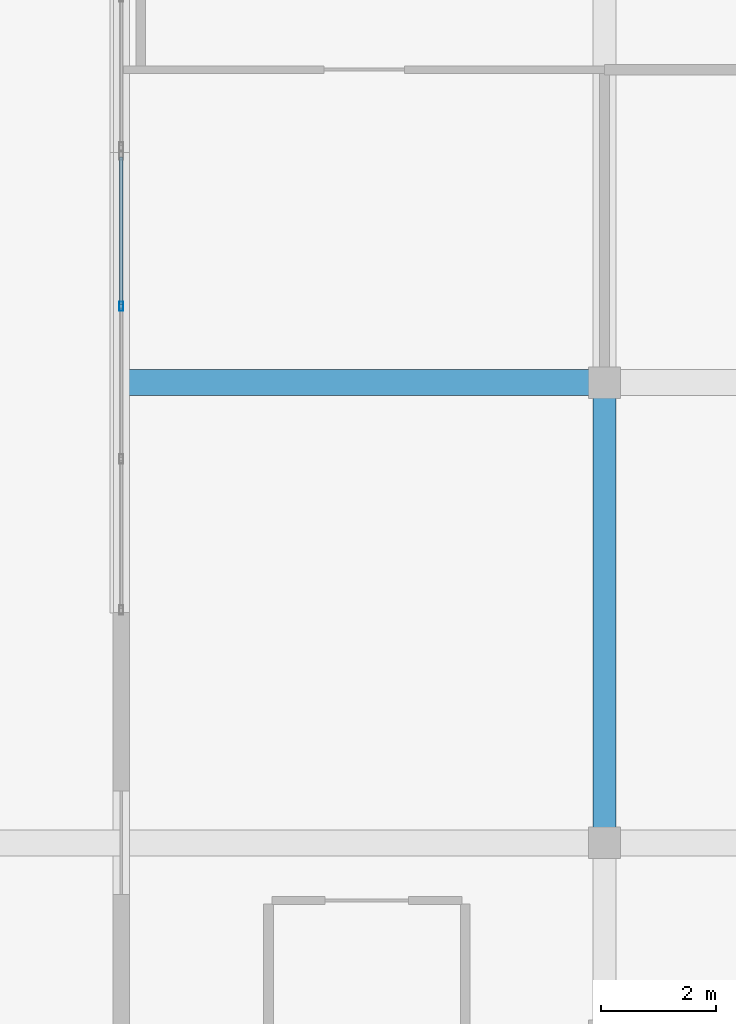
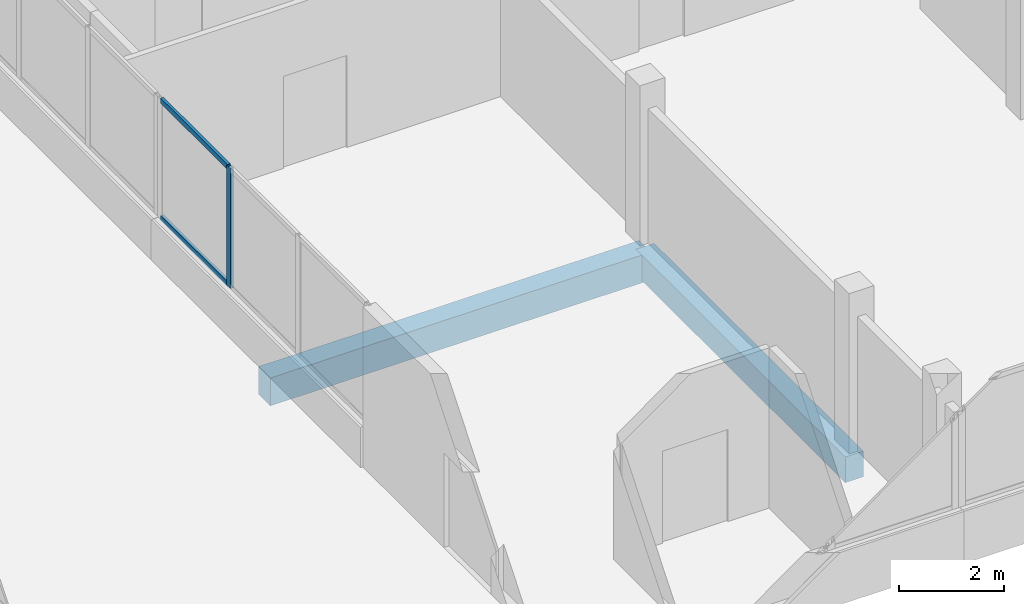
# One storey, part 8 of 67: 3 members, 2 beams, 1 element without a shape of its own.
"""IFC4 building model written with IfcOpenShell, lengths in metres."""

import ifcopenshell
import ifcopenshell.guid

model = None  # the IFC model being written
_history = None  # IfcOwnerHistory: only IFC2X3 demands one
_inside = {}  # id of a spatial element -> (the spatial element, [elements in it])
_under = {}  # id of a project, library or spatial element -> (it, [spatial elements below it])
_declared = {}  # id of a project -> (the project, [libraries it declares])
_typed = {}  # id of a type object -> (the type object, [elements of that type])
_made_of = {}  # id of a material, layer set ... -> (it, [elements and type objects made of it])


def new_model(schema):
    """Start an empty IFC model of exactly this schema.

    Asked for "IFC4X3", IfcOpenShell would pick the latest addendum, in which some entities
    have other attributes; the version numbers below select the first issue.
    IFC2X3 requires an IfcOwnerHistory on every rooted entity: one is made here for all.
    """
    global model, _history
    if schema == "IFC4X3":
        model = ifcopenshell.file(schema_version=(4, 3, 0, 0))
    else:
        model = ifcopenshell.file(schema=schema)
    _inside.clear()
    _under.clear()
    _declared.clear()
    _typed.clear()
    _made_of.clear()
    _history = None
    if model.schema == "IFC2X3":
        org = make("IfcOrganization", Name="unknown")
        user = make(
            "IfcPersonAndOrganization",
            ThePerson=make("IfcPerson", FamilyName="unknown"),
            TheOrganization=org,
        )
        app = make(
            "IfcApplication",
            ApplicationDeveloper=org,
            Version="unknown",
            ApplicationFullName="unknown",
            ApplicationIdentifier="unknown",
        )
        _history = make(
            "IfcOwnerHistory",
            OwningUser=user,
            OwningApplication=app,
            ChangeAction="ADDED",
            CreationDate=0,
        )
    return model


def make(cls, **values):
    """One entity of the class cls with the attributes given. An attribute that is None is left unset."""
    return model.create_entity(
        cls, **{name: value for name, value in values.items() if value is not None}
    )


def rooted(cls, **values):
    """An entity with a GlobalId (a new one), such as an element, a storey or a relation."""
    return make(cls, GlobalId=ifcopenshell.guid.new(), OwnerHistory=_history, **values)


def si_unit(unit_type, name, prefix=None):
    """IfcSIUnit, for example si_unit("LENGTHUNIT", "METRE", prefix="MILLI")."""
    return make("IfcSIUnit", UnitType=unit_type, Prefix=prefix, Name=name)


def assignment(units):
    """IfcUnitAssignment: the units of a project."""
    return None if units is None else make("IfcUnitAssignment", Units=units)


def point(xyz):
    """IfcCartesianPoint."""
    return None if xyz is None else make("IfcCartesianPoint", Coordinates=xyz)


def direction(xyz):
    """IfcDirection."""
    return None if xyz is None else make("IfcDirection", DirectionRatios=xyz)


def frame(location, z_axis=None, x_axis=None):
    """IfcAxis2Placement3D, a coordinate frame: its origin and axes. An axis left out is left unset."""
    return make(
        "IfcAxis2Placement3D",
        Location=point(location),
        Axis=direction(z_axis),
        RefDirection=direction(x_axis),
    )


def frame_2d(location, x_axis=None):
    """IfcAxis2Placement2D, a coordinate frame in the plane: its origin and x axis."""
    return make(
        "IfcAxis2Placement2D", Location=point(location), RefDirection=direction(x_axis)
    )


def origin():
    """The frame at (0, 0, 0) with its axes left unset."""
    return frame((0.0, 0.0, 0.0))


def origin_2d():
    """The frame at (0, 0) in the plane with its x axis left unset."""
    return frame_2d((0.0, 0.0))


def place(relative_to, where):
    """IfcLocalPlacement: puts the frame where relative to a parent placement (None: the world)."""
    return make(
        "IfcLocalPlacement", PlacementRelTo=relative_to, RelativePlacement=where
    )


def context(
    kind, dimensions, precision=None, world=None, true_north=None, identifier=None
):
    """IfcGeometricRepresentationContext, for example the 3D "Model" context."""
    return make(
        "IfcGeometricRepresentationContext",
        ContextIdentifier=identifier,
        ContextType=kind,
        CoordinateSpaceDimension=dimensions,
        Precision=precision,
        WorldCoordinateSystem=world,
        TrueNorth=true_north,
    )


def subcontext(parent, identifier, kind, view, scale=None):
    """IfcGeometricRepresentationSubContext, for example "Body" below "Model"."""
    return make(
        "IfcGeometricRepresentationSubContext",
        ContextIdentifier=identifier,
        ContextType=kind,
        ParentContext=parent,
        TargetScale=scale,
        TargetView=view,
    )


def project(units=None, contexts=None):
    """IfcProject with its units and contexts."""
    return rooted(
        "IfcProject",
        Name="project",
        RepresentationContexts=contexts,
        UnitsInContext=assignment(units),
    )


def spatial(cls, under=None, at=None, **own):
    """A site, building, storey or space (cls), placed at a placement, below another one or the project."""
    s = rooted(cls, ObjectPlacement=at, **own)
    if under is not None:
        _under.setdefault(under.id(), (under, []))[1].append(s)
    return s


def profile(cls, at=None, kind="AREA", **sizes):
    """A parametric profile (cls). Its sizes go by their IFC names, for example OverallWidth=200.0."""
    return make(cls, ProfileType=kind, Position=at, **sizes)


def rectangle(**sizes):
    """IfcRectangleProfileDef."""
    return profile("IfcRectangleProfileDef", **sizes)


def hollow_rectangle(**sizes):
    """IfcRectangleHollowProfileDef."""
    return profile("IfcRectangleHollowProfileDef", **sizes)


def extrude(swept, where, along, depth):
    """IfcExtrudedAreaSolid: the profile swept, set in the frame where, extruded along a direction by depth."""
    return make(
        "IfcExtrudedAreaSolid",
        SweptArea=swept,
        Position=where,
        ExtrudedDirection=direction(along),
        Depth=depth,
    )


def shape(context_of_items, identifier, shape_type, items):
    """IfcShapeRepresentation: the items that make up one representation, for example the "Body"."""
    return make(
        "IfcShapeRepresentation",
        ContextOfItems=context_of_items,
        RepresentationIdentifier=identifier,
        RepresentationType=shape_type,
        Items=items,
    )


def material(Name=None, Category=None):
    """IfcMaterial."""
    return make("IfcMaterial", Name=Name, Category=Category)


def material_profile(
    of_material, cross_section, Name=None, Category=None, Priority=None
):
    """IfcMaterialProfile: a cross section and its material."""
    return make(
        "IfcMaterialProfile",
        Name=Name,
        Material=of_material,
        Profile=cross_section,
        Priority=Priority,
        Category=Category,
    )


def profile_set(profiles, Name=None, composite=None):
    """IfcMaterialProfileSet."""
    return make(
        "IfcMaterialProfileSet",
        Name=Name,
        MaterialProfiles=profiles,
        CompositeProfile=composite,
    )


def made_of(thing, what):
    """Note that an element or type object is made of a material, layer set ...; save() writes the relation."""
    if what is not None:
        _made_of.setdefault(what.id(), (what, []))[1].append(thing)
    return thing


def type_object(cls, material=None, **own):
    """A type object (cls), such as IfcWallType, which elements share."""
    return made_of(rooted(cls, **own), material)


def element(
    cls,
    number,
    at=None,
    inside=None,
    cuts=None,
    type_object=None,
    material=None,
    context=None,
    identifier="Body",
    shape_type=None,
    held_by="IfcProductDefinitionShape",
    body=None,
    shapes=None,
    **own,
):
    """One element of the class cls, such as IfcWall. Its Tag is "e" and its number.

    at: its placement. inside: the storey or other place that contains it. cuts: it is an
    opening in that element (IfcRelVoidsElement). A single representation is given by context,
    identifier, shape_type and body (its items); several are given by shapes. held_by: the class
    of the entity that holds the representations. save() writes the other relations.
    """
    e = rooted(cls, Tag="e%d" % number, ObjectPlacement=at, **own)
    if body is not None:
        shapes = [shape(context, identifier, shape_type, body)]
    if shapes is not None:
        e.Representation = make(held_by, Representations=shapes)
    if inside is not None:
        _inside.setdefault(inside.id(), (inside, []))[1].append(e)
    if cuts is not None:
        rooted(
            "IfcRelVoidsElement", RelatingBuildingElement=cuts, RelatedOpeningElement=e
        )
    if type_object is not None:
        _typed.setdefault(type_object.id(), (type_object, []))[1].append(e)
    return made_of(e, material)


def aggregate(whole, parts):
    """IfcRelAggregates: a whole, such as a stair, and the parts it consists of."""
    return rooted("IfcRelAggregates", RelatingObject=whole, RelatedObjects=parts)


def save(model, path):
    """Write the relations noted so far, then the file.

    IfcRelAggregates (storeys below a building ...), IfcRelContainedInSpatialStructure (elements
    in a storey), IfcRelDefinesByType, IfcRelAssociatesMaterial and IfcRelDeclares: one each for
    every whole, place, type object, material and project.
    """
    for whole, parts in _under.values():
        aggregate(whole, parts)
    for where, things in _inside.values():
        rooted(
            "IfcRelContainedInSpatialStructure",
            RelatedElements=things,
            RelatingStructure=where,
        )
    for kind, things in _typed.values():
        rooted("IfcRelDefinesByType", RelatedObjects=things, RelatingType=kind)
    for what, things in _made_of.values():
        rooted("IfcRelAssociatesMaterial", RelatedObjects=things, RelatingMaterial=what)
    for by, libraries in _declared.values():
        rooted("IfcRelDeclares", RelatingContext=by, RelatedDefinitions=libraries)
    model.write(path)


model = new_model("IFC4")

# Units and contexts
model_context = context("Model", 3, precision=1e-05, world=origin(), true_north=direction((0.0, 1.0)))
body_context = subcontext(model_context, "Body", "Model", "MODEL_VIEW")
ifc_project = project(units=[si_unit("LENGTHUNIT", "METRE"), si_unit("AREAUNIT", "SQUARE_METRE"), si_unit("VOLUMEUNIT", "CUBIC_METRE"), si_unit("PLANEANGLEUNIT", "RADIAN"), si_unit("MASSUNIT", "GRAM", prefix="KILO")], contexts=[model_context])

# Site, building, storey
site_placement = place(None, origin())
site = spatial("IfcSite", under=ifc_project, at=site_placement, CompositionType="ELEMENT")
building_placement = place(site_placement, origin())
building = spatial("IfcBuilding", under=site, at=building_placement, Name="Selatvlak General Hospital", CompositionType="ELEMENT")
storey_placement = place(building_placement, frame((0.0, 0.0, 35.39990234375)))
storey = spatial("IfcBuildingStorey", under=building, at=storey_placement, Name="L08", CompositionType="ELEMENT", Elevation=35.39990234375)

# Beams
ifc_material_1 = material(Name="Concrete C40/50", Category="concrete")
ifc_material_profile_1 = material_profile(ifc_material_1, rectangle(XDim=0.449951171875, YDim=0.64990234375, at=origin_2d()), Name="RC-BM 450x650")
ifc_profile_set_1 = profile_set([ifc_material_profile_1], Name="Concrete C40/50")
beam_type_1 = type_object("IfcBeamType", Name="BM-G04", PredefinedType="BEAM", material=ifc_profile_set_1)
beam_1_placement = place(storey_placement, frame((31.199951171875, 100.0, -0.58984375), z_axis=(1.0, 0.0, 0.0), x_axis=(0.0, 1.0, 0.0)))
element("IfcBeam", 1, at=beam_1_placement, inside=storey, type_object=beam_type_1, Name="Beam BMR-L08-2589", PredefinedType="BEAM", context=body_context, shape_type="SweptSolid", body=[
    extrude(rectangle(XDim=0.449951171875, YDim=0.64990234375, at=origin_2d()), origin(), (0.0, 0.0, 1.0), 8.400146484375),
])
ifc_material_profile_2 = material_profile(ifc_material_1, rectangle(XDim=0.39990234375, YDim=0.60009765625, at=origin_2d()), Name="RC-BM 400x600")
ifc_profile_set_2 = profile_set([ifc_material_profile_2], Name="Concrete C40/50")
beam_type_2 = type_object("IfcBeamType", Name="BM-G05", PredefinedType="BEAM", material=ifc_profile_set_2)
beam_2_placement = place(storey_placement, frame((39.60009765625, 92.0, -0.56494140625), z_axis=(0.0, 1.0, 0.0), x_axis=(-1.0, 0.0, 0.0)))
element("IfcBeam", 2, at=beam_2_placement, inside=storey, type_object=beam_type_2, Name="Beam BMR-L08-2640", PredefinedType="BEAM", context=body_context, shape_type="SweptSolid", body=[
    extrude(rectangle(XDim=0.39990234375, YDim=0.60009765625, at=origin_2d()), origin(), (0.0, 0.0, 1.0), 8.0),
])

# Curtain wall, members
ifc_material_2 = material(Name="Solar-control Low-E double glazing", Category="glass")
curtain_wall_type = type_object("IfcCurtainWallType", Name="CW-CW-01", PredefinedType="USERDEFINED", material=ifc_material_2)
curtain_wall_placement = place(storey_placement, origin())
curtain_wall = element("IfcCurtainWall", 3, at=curtain_wall_placement, inside=storey, type_object=curtain_wall_type, Name="Glazed facade curtain wall CW-L08-0680", ObjectType="UNITISED CURTAIN WALL", PredefinedType="USERDEFINED")
ifc_material_3 = material(Name="Dark anodised aluminium mullion", Category="aluminium")
ifc_material_profile_3 = material_profile(ifc_material_3, hollow_rectangle(XDim=0.06494140625, YDim=0.159912109375, WallThickness=0.00390625, at=origin_2d()), Name="AL-MUL 65x160x4")
ifc_profile_set_3 = profile_set([ifc_material_profile_3], Name="Dark anodised aluminium mullion")
member_type_1 = type_object("IfcMemberType", Name="CWM-01", PredefinedType="MULLION", material=ifc_profile_set_3)
member_1_placement = place(storey_placement, frame((31.199951171875, 101.32763671875, 0.940185546875), z_axis=(0.0, 0.0, 1.0), x_axis=(-1.0, 0.0, 0.0)))
member_1 = element("IfcMember", 4, at=member_1_placement, type_object=member_type_1, Name="CW-01 mullion 3", PredefinedType="MULLION", context=body_context, shape_type="SweptSolid", body=[
    extrude(hollow_rectangle(XDim=0.06494140625, YDim=0.159912109375, WallThickness=0.00390625, at=origin_2d()), origin(), (0.0, 0.0, 1.0), 2.7998046875),
])
ifc_material_profile_4 = material_profile(ifc_material_3, hollow_rectangle(XDim=0.06494140625, YDim=0.1201171875, WallThickness=0.00390625, at=origin_2d()), Name="AL-TRN 65x120x4")
ifc_profile_set_4 = profile_set([ifc_material_profile_4], Name="Dark anodised aluminium mullion")
member_type_2 = type_object("IfcMemberType", Name="CWT-01", PredefinedType="USERDEFINED", material=ifc_profile_set_4)
member_2_placement = place(storey_placement, frame((31.199951171875, 101.360107421875, 0.97265625), z_axis=(0.0, 1.0, 0.0), x_axis=(-1.0, 0.0, 0.0)))
member_2 = element("IfcMember", 5, at=member_2_placement, type_object=member_type_2, Name="CW-01 transom 3.1", ObjectType="TRANSOM", PredefinedType="USERDEFINED", context=body_context, shape_type="SweptSolid", body=[
    extrude(hollow_rectangle(XDim=0.06494140625, YDim=0.1201171875, WallThickness=0.00390625, at=origin_2d()), origin(), (0.0, 0.0, 1.0), 2.558837890625),
])
member_3_placement = place(storey_placement, frame((31.199951171875, 101.360107421875, 3.70751953125), z_axis=(0.0, 1.0, 0.0), x_axis=(-1.0, 0.0, 0.0)))
member_3 = element("IfcMember", 6, at=member_3_placement, type_object=member_type_2, Name="CW-01 transom 3.2", ObjectType="TRANSOM", PredefinedType="USERDEFINED", context=body_context, shape_type="SweptSolid", body=[
    extrude(hollow_rectangle(XDim=0.06494140625, YDim=0.1201171875, WallThickness=0.00390625, at=origin_2d()), origin(), (0.0, 0.0, 1.0), 2.558837890625),
])
aggregate(curtain_wall, [member_1, member_2, member_3])

save(model, "model.ifc")
